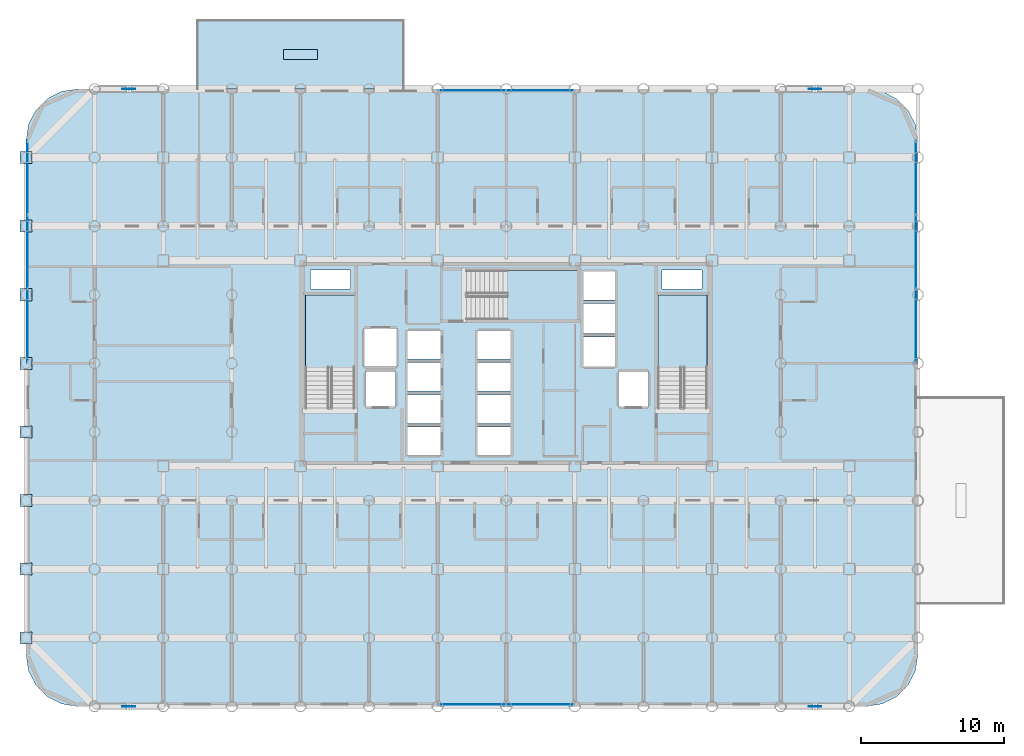
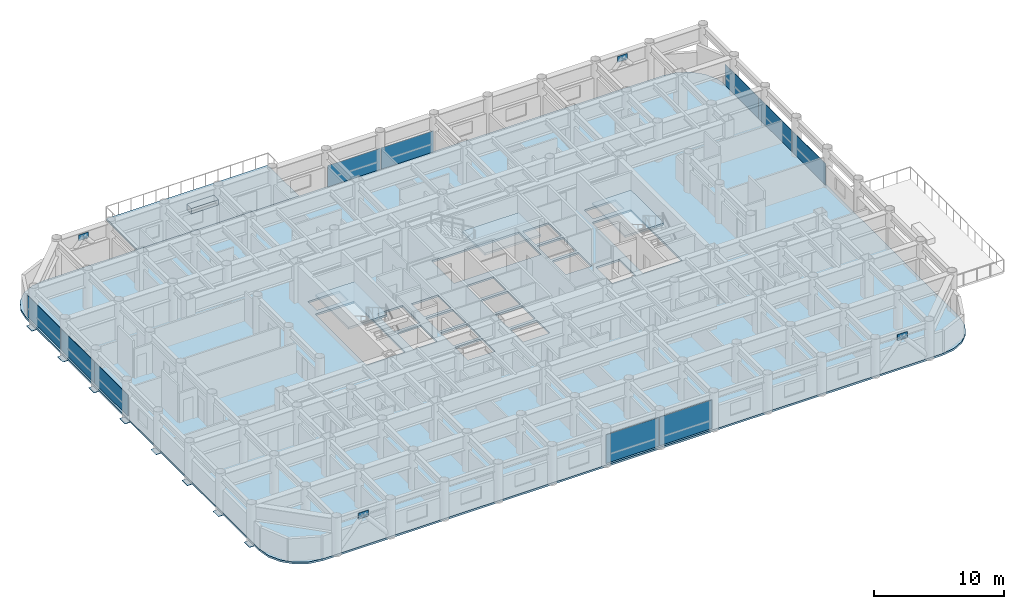
# One storey, part 15 of 24: 23 plates, 5 slabs, 7 elements without a shape of their own.
"""IFC4 building model written with IfcOpenShell, lengths in metres."""

from ifc_helpers import new_model, si_unit, direction, frame, origin, origin_2d, place, context, subcontext, project, spatial, polyline, rectangle, outline, extrude, material, layer, layer_set, type_object, element, aggregate, save


model = new_model("IFC4")

# Units and contexts
model_context = context("Model", 3, precision=1e-05, world=origin(), true_north=direction((0.0, 1.0)))
body_context = subcontext(model_context, "Body", "Model", "MODEL_VIEW")
ifc_project = project(units=[si_unit("LENGTHUNIT", "METRE"), si_unit("AREAUNIT", "SQUARE_METRE"), si_unit("VOLUMEUNIT", "CUBIC_METRE"), si_unit("PLANEANGLEUNIT", "RADIAN"), si_unit("MASSUNIT", "GRAM", prefix="KILO")], contexts=[model_context])

# Site, building, storey
site_placement = place(None, origin())
site = spatial("IfcSite", under=ifc_project, at=site_placement, CompositionType="ELEMENT")
building_placement = place(site_placement, origin())
building = spatial("IfcBuilding", under=site, at=building_placement, Name="Kallvorn Hotel Tower", CompositionType="ELEMENT")
storey_placement = place(building_placement, frame((0.0, 0.0, 30.0)))
storey = spatial("IfcBuildingStorey", under=building, at=storey_placement, Name="L05", CompositionType="ELEMENT", Elevation=30.0)

# Curtain wall, plates
ifc_material_1 = material(Name="Thermally broken black-anodised aluminium AA 6063-T6", Category="aluminium")
ifc_layer_1 = layer(ifc_material_1, 0.199951171875)
ifc_layer_set_1 = layer_set([ifc_layer_1], Name="CW_SYS_3_HOTEL_LOW")
curtain_wall_type = type_object("IfcCurtainWallType", Name="CW_SYS_3_HOTEL_LOW", PredefinedType="USERDEFINED", material=ifc_layer_set_1)
curtain_wall_1_placement = place(storey_placement, origin())
curtain_wall_1 = element("IfcCurtainWall", 1, at=curtain_wall_1_placement, inside=storey, type_object=curtain_wall_type, Name="L05 Dark-Glass Curtain Wall CW-L05-SC", ObjectType="UNITISED CURTAIN WALL", PredefinedType="USERDEFINED")
ifc_material_2 = material(Name="Double-glazed low-e solar-control dark glass", Category="glass")
ifc_layer_2 = layer(ifc_material_2, 0.035888671875)
ifc_layer_set_2 = layer_set([ifc_layer_2], Name="CW_SYS_3_HOTEL_LOW_PANEL")
plate_type_1 = type_object("IfcPlateType", Name="CW_SYS_3_HOTEL_LOW_PANEL", PredefinedType="CURTAIN_PANEL", material=ifc_layer_set_2)
plate_1_placement = place(storey_placement, frame((-2.375, -23.8798828125, 0.06005859375), z_axis=(0.0, 0.0, 1.0), x_axis=(1.0, 0.0, 0.0)))
plate_1 = element("IfcPlate", 2, at=plate_1_placement, type_object=plate_type_1, Name="CW-L05-SC Vision Glass Panel 00", PredefinedType="CURTAIN_PANEL", context=body_context, shape_type="SweptSolid", body=[
    extrude(rectangle(XDim=4.68994140625, YDim=0.035888671875, at=origin_2d()), origin(), (0.0, 0.0, 1.0), 2.699951171875),
])
plate_2_placement = place(storey_placement, frame((2.375, -23.8798828125, 0.06005859375), z_axis=(0.0, 0.0, 1.0), x_axis=(1.0, 0.0, 0.0)))
plate_2 = element("IfcPlate", 3, at=plate_2_placement, type_object=plate_type_1, Name="CW-L05-SC Vision Glass Panel 01", PredefinedType="CURTAIN_PANEL", context=body_context, shape_type="SweptSolid", body=[
    extrude(rectangle(XDim=4.68994140625, YDim=0.035888671875, at=origin_2d()), origin(), (0.0, 0.0, 1.0), 2.699951171875),
])
aggregate(curtain_wall_1, [plate_1, plate_2])

curtain_wall_2_placement = place(storey_placement, origin())
curtain_wall_2 = element("IfcCurtainWall", 4, at=curtain_wall_2_placement, inside=storey, type_object=curtain_wall_type, Name="L05 Dark-Glass Curtain Wall CW-L05-NC", ObjectType="UNITISED CURTAIN WALL", PredefinedType="USERDEFINED")
plate_3_placement = place(storey_placement, frame((-2.375, 19.080078125, 0.06005859375), z_axis=(0.0, 0.0, 1.0), x_axis=(1.0, 0.0, 0.0)))
plate_3 = element("IfcPlate", 5, at=plate_3_placement, type_object=plate_type_1, Name="CW-L05-NC Vision Glass Panel 00", PredefinedType="CURTAIN_PANEL", context=body_context, shape_type="SweptSolid", body=[
    extrude(rectangle(XDim=4.68994140625, YDim=0.035888671875, at=origin_2d()), origin(), (0.0, 0.0, 1.0), 2.0),
])
plate_4_placement = place(storey_placement, frame((2.375, 19.080078125, 0.06005859375), z_axis=(0.0, 0.0, 1.0), x_axis=(1.0, 0.0, 0.0)))
plate_4 = element("IfcPlate", 6, at=plate_4_placement, type_object=plate_type_1, Name="CW-L05-NC Vision Glass Panel 01", PredefinedType="CURTAIN_PANEL", context=body_context, shape_type="SweptSolid", body=[
    extrude(rectangle(XDim=4.68994140625, YDim=0.035888671875, at=origin_2d()), origin(), (0.0, 0.0, 1.0), 2.0),
])
aggregate(curtain_wall_2, [plate_3, plate_4])

curtain_wall_3_placement = place(storey_placement, origin())
curtain_wall_3 = element("IfcCurtainWall", 7, at=curtain_wall_3_placement, inside=storey, type_object=curtain_wall_type, Name="L05 Dark-Glass Curtain Wall CW-L05-WN", ObjectType="UNITISED CURTAIN WALL", PredefinedType="USERDEFINED")
plate_5_placement = place(storey_placement, frame((-33.47998046875, 2.61669921875, 0.06005859375), z_axis=(0.0, 0.0, 1.0), x_axis=(0.0, 1.0, 0.0)))
plate_5 = element("IfcPlate", 8, at=plate_5_placement, type_object=plate_type_1, Name="CW-L05-WN Vision Glass Panel 00", PredefinedType="CURTAIN_PANEL", context=body_context, shape_type="SweptSolid", body=[
    extrude(rectangle(XDim=5.13330078125, YDim=0.035888671875, at=origin_2d()), origin(), (0.0, 0.0, 1.0), 2.0),
])
plate_6_placement = place(storey_placement, frame((-33.47998046875, 7.81005859375, 0.06005859375), z_axis=(0.0, 0.0, 1.0), x_axis=(0.0, 1.0, 0.0)))
plate_6 = element("IfcPlate", 9, at=plate_6_placement, type_object=plate_type_1, Name="CW-L05-WN Vision Glass Panel 01", PredefinedType="CURTAIN_PANEL", context=body_context, shape_type="SweptSolid", body=[
    extrude(rectangle(XDim=5.13330078125, YDim=0.035888671875, at=origin_2d()), origin(), (0.0, 0.0, 1.0), 2.0),
])
plate_7_placement = place(storey_placement, frame((-33.47998046875, 13.00341796875, 0.06005859375), z_axis=(0.0, 0.0, 1.0), x_axis=(0.0, 1.0, 0.0)))
plate_7 = element("IfcPlate", 10, at=plate_7_placement, type_object=plate_type_1, Name="CW-L05-WN Vision Glass Panel 02", PredefinedType="CURTAIN_PANEL", context=body_context, shape_type="SweptSolid", body=[
    extrude(rectangle(XDim=5.13330078125, YDim=0.035888671875, at=origin_2d()), origin(), (0.0, 0.0, 1.0), 2.0),
])
aggregate(curtain_wall_3, [plate_5, plate_6, plate_7])

curtain_wall_4_placement = place(storey_placement, origin())
curtain_wall_4 = element("IfcCurtainWall", 11, at=curtain_wall_4_placement, inside=storey, type_object=curtain_wall_type, Name="L05 Dark-Glass Curtain Wall CW-L05-EN", ObjectType="UNITISED CURTAIN WALL", PredefinedType="USERDEFINED")
plate_8_placement = place(storey_placement, frame((28.679931640625, 2.61669921875, 0.06005859375), z_axis=(0.0, 0.0, 1.0), x_axis=(0.0, 1.0, 0.0)))
plate_8 = element("IfcPlate", 12, at=plate_8_placement, type_object=plate_type_1, Name="CW-L05-EN Vision Glass Panel 00", PredefinedType="CURTAIN_PANEL", context=body_context, shape_type="SweptSolid", body=[
    extrude(rectangle(XDim=5.13330078125, YDim=0.035888671875, at=origin_2d()), origin(), (0.0, 0.0, 1.0), 2.0),
])
plate_9_placement = place(storey_placement, frame((28.679931640625, 7.81005859375, 0.06005859375), z_axis=(0.0, 0.0, 1.0), x_axis=(0.0, 1.0, 0.0)))
plate_9 = element("IfcPlate", 13, at=plate_9_placement, type_object=plate_type_1, Name="CW-L05-EN Vision Glass Panel 01", PredefinedType="CURTAIN_PANEL", context=body_context, shape_type="SweptSolid", body=[
    extrude(rectangle(XDim=5.13330078125, YDim=0.035888671875, at=origin_2d()), origin(), (0.0, 0.0, 1.0), 2.0),
])
plate_10_placement = place(storey_placement, frame((28.679931640625, 13.00341796875, 0.06005859375), z_axis=(0.0, 0.0, 1.0), x_axis=(0.0, 1.0, 0.0)))
plate_10 = element("IfcPlate", 14, at=plate_10_placement, type_object=plate_type_1, Name="CW-L05-EN Vision Glass Panel 02", PredefinedType="CURTAIN_PANEL", context=body_context, shape_type="SweptSolid", body=[
    extrude(rectangle(XDim=5.13330078125, YDim=0.035888671875, at=origin_2d()), origin(), (0.0, 0.0, 1.0), 2.0),
])
aggregate(curtain_wall_4, [plate_8, plate_9, plate_10])

# Plates
ifc_material_3 = material(Name="Structural steel S355JR", Category="steel")
ifc_layer_3 = layer(ifc_material_3, 0.030029296875)
ifc_layer_set_3 = layer_set([ifc_layer_3], Name="PLT_CAP_30")
plate_type_2 = type_object("IfcPlateType", Name="PLT_CAP_30", PredefinedType="SHEET", material=ifc_layer_set_3)
for number, where, z_axis, x_axis, name in (
    (15, (-33.60009765625, -19.199951171875, -0.2099609375), (0.0, 0.0, 1.0), (1.0, 0.0, 0.0), "L05 Hollow Column Base End Cap Plate 0129"),
    (16, (-33.60009765625, -14.39990234375, -0.2099609375), (0.0, 0.0, 1.0), (1.0, 0.0, 0.0), "L05 Hollow Column Base End Cap Plate 0130"),
    (17, (-33.60009765625, -9.60009765625, -0.2099609375), (0.0, 0.0, 1.0), (1.0, 0.0, 0.0), "L05 Hollow Column Base End Cap Plate 0131"),
    (18, (-33.60009765625, -4.800048828125, -0.2099609375), (0.0, 0.0, 1.0), (1.0, 0.0, 0.0), "L05 Hollow Column Base End Cap Plate 0132"),
    (19, (-33.60009765625, 0.0, -0.2099609375), (0.0, 0.0, 1.0), (1.0, 0.0, 0.0), "L05 Hollow Column Base End Cap Plate 0133"),
    (20, (-33.60009765625, 4.800048828125, -0.2099609375), (0.0, 0.0, 1.0), (1.0, 0.0, 0.0), "L05 Hollow Column Base End Cap Plate 0134"),
    (21, (-33.60009765625, 9.60009765625, -0.2099609375), (0.0, 0.0, 1.0), (1.0, 0.0, 0.0), "L05 Hollow Column Base End Cap Plate 0135"),
    (22, (-33.60009765625, 14.39990234375, -0.2099609375), (0.0, 0.0, 1.0), (1.0, 0.0, 0.0), "L05 Hollow Column Base End Cap Plate 0136"),
):
    element("IfcPlate", number, at=place(storey_placement, frame(where, z_axis=z_axis, x_axis=x_axis)), inside=storey, type_object=plate_type_2, Name=name, PredefinedType="SHEET", context=body_context, shape_type="SweptSolid", body=[
        extrude(rectangle(XDim=0.842041015625, YDim=0.842041015625, at=origin_2d()), origin(), (0.0, 0.0, 1.0), 0.030029296875),
    ])
ifc_material_4 = material(Name="Structural steel S355JR", Category="steel")
ifc_layer_4 = layer(ifc_material_4, 0.044921875)
ifc_layer_set_4 = layer_set([ifc_layer_4], Name="PLT_GUSSET_45")
plate_type_3 = type_object("IfcPlateType", Name="PLT_GUSSET_45", PredefinedType="USERDEFINED", material=ifc_layer_set_4)
for number, where, z_axis, x_axis, name in (
    (23, (-26.39990234375, -24.0, 2.639892578125), (0.0, 0.0, 1.0), (1.0, 0.0, 0.0), "L05 Exoskeleton Node Gusset S1"),
    (24, (21.60009765625, -24.0, 2.639892578125), (0.0, 0.0, 1.0), (1.0, 0.0, 0.0), "L05 Exoskeleton Node Gusset S2"),
    (25, (-26.39990234375, 19.199951171875, 2.639892578125), (0.0, 0.0, 1.0), (1.0, 0.0, 0.0), "L05 Exoskeleton Node Gusset N1"),
    (26, (21.60009765625, 19.199951171875, 2.639892578125), (0.0, 0.0, 1.0), (1.0, 0.0, 0.0), "L05 Exoskeleton Node Gusset N2"),
):
    element("IfcPlate", number, at=place(storey_placement, frame(where, z_axis=z_axis, x_axis=x_axis)), inside=storey, type_object=plate_type_3, Name=name, ObjectType="GUSSET PLATE", PredefinedType="USERDEFINED", context=body_context, shape_type="SweptSolid", body=[
        extrude(rectangle(XDim=0.89990234375, YDim=0.044921875, at=origin_2d()), origin(), (0.0, 0.0, 1.0), 0.56005859375),
    ])
ifc_material_5 = material(Name="Powder-coated marine-grade aluminium planter trough", Category="aluminium")
ifc_layer_5 = layer(ifc_material_5, 0.0400390625)
ifc_layer_set_5 = layer_set([ifc_layer_5], Name="PLT_PLANTER_TROUGH")
plate_type_4 = type_object("IfcPlateType", Name="PLT_PLANTER_TROUGH", PredefinedType="USERDEFINED", material=ifc_layer_set_5)
plate_11_placement = place(storey_placement, frame((-14.39990234375, 21.60009765625, 0.0), z_axis=(0.0, 0.0, 1.0), x_axis=(1.0, 0.0, 0.0)))
element("IfcPlate", 27, at=plate_11_placement, inside=storey, type_object=plate_type_4, Name="TER-L05-N Step-Off Terrace Planter", ObjectType="FACADE PLANTER TROUGH", PredefinedType="USERDEFINED", context=body_context, shape_type="SweptSolid", body=[
    extrude(rectangle(XDim=2.39990234375, YDim=0.699951171875, at=origin_2d()), origin(), (0.0, 0.0, 1.0), 0.5),
])

# Stair, slab
ifc_material_6 = material(Name="Precast concrete C40/50", Category="concrete")
stair_type = type_object("IfcStairType", Name="STR_CORE_DOGLEG", PredefinedType="HALF_TURN_STAIR", material=ifc_material_6)
stair_1_placement = place(storey_placement, origin())
stair_1 = element("IfcStair", 28, at=stair_1_placement, inside=storey, type_object=stair_type, Name="L05 Exit stair ST1", PredefinedType="HALF_TURN_STAIR")
ifc_material_7 = material(Name="Precast concrete C40/50", Category="concrete")
ifc_layer_6 = layer(ifc_material_7, 0.179931640625)
ifc_layer_set_6 = layer_set([ifc_layer_6], Name="SLB_LANDING_180")
slab_type_1 = type_object("IfcSlabType", Name="SLB_LANDING_180", PredefinedType="LANDING", material=ifc_layer_set_6)
slab_1_placement = place(storey_placement, frame((0.0, 0.0, 1.64990234375)))
slab_1 = element("IfcSlab", 29, at=slab_1_placement, type_object=slab_type_1, Name="ST1 landing 1", PredefinedType="LANDING", context=body_context, shape_type="SweptSolid", body=[
    extrude(outline(polyline([(-10.60009765625, -0.31005859375), (-10.60009765625, 4.800048828125), (-14.06005859375, 4.800048828125), (-14.06005859375, -0.31005859375), (-10.60009765625, -0.31005859375)])), origin(), (0.0, 0.0, 1.0), 0.2001953125),
])
aggregate(stair_1, [slab_1])

stair_2_placement = place(storey_placement, origin())
stair_2 = element("IfcStair", 30, at=stair_2_placement, inside=storey, type_object=stair_type, Name="L05 Exit stair ST2", PredefinedType="HALF_TURN_STAIR")
slab_2_placement = place(storey_placement, frame((0.0, 0.0, 1.64990234375)))
slab_2 = element("IfcSlab", 31, at=slab_2_placement, type_object=slab_type_1, Name="ST2 landing 1", PredefinedType="LANDING", context=body_context, shape_type="SweptSolid", body=[
    extrude(outline(polyline([(14.06005859375, -0.31005859375), (14.06005859375, 4.800048828125), (10.60009765625, 4.800048828125), (10.60009765625, -0.31005859375), (14.06005859375, -0.31005859375)])), origin(), (0.0, 0.0, 1.0), 0.2001953125),
])
aggregate(stair_2, [slab_2])

stair_3_placement = place(storey_placement, origin())
stair_3 = element("IfcStair", 32, at=stair_3_placement, inside=storey, type_object=stair_type, Name="L05 Exit stair ST3", PredefinedType="HALF_TURN_STAIR")
slab_3_placement = place(storey_placement, frame((0.0, 0.0, 1.64990234375)))
slab_3 = element("IfcSlab", 33, at=slab_3_placement, type_object=slab_type_1, Name="ST3 landing 1", PredefinedType="LANDING", context=body_context, shape_type="SweptSolid", body=[
    extrude(outline(polyline([(0.0400390625, 3.050048828125), (5.050048828125, 3.050048828125), (5.050048828125, 6.510009765625), (0.0400390625, 6.510009765625), (0.0400390625, 3.050048828125)])), origin(), (0.0, 0.0, 1.0), 0.2001953125),
])
aggregate(stair_3, [slab_3])

# Slabs
ifc_material_8 = material(Name="Concrete C40/50", Category="concrete")
ifc_layer_7 = layer(ifc_material_8, 0.179931640625)
ifc_layer_set_7 = layer_set([ifc_layer_7], Name="SLB_TERRACE_180")
slab_type_2 = type_object("IfcSlabType", Name="SLB_TERRACE_180", PredefinedType="ROOF", material=ifc_layer_set_7)
slab_4_placement = place(storey_placement, frame((0.0, 0.0, -0.179931640625)))
element("IfcSlab", 34, at=slab_4_placement, inside=storey, type_object=slab_type_2, Name="L05 Jenga Step-Off Garden Terrace TER-L05-N", PredefinedType="ROOF", context=body_context, shape_type="SweptSolid", body=[
    extrude(outline(polyline([(-21.60009765625, 19.199951171875), (-7.199951171875, 19.199951171875), (-7.199951171875, 24.0), (-21.60009765625, 24.0), (-21.60009765625, 19.199951171875)])), origin(), (0.0, 0.0, 1.0), 0.179931640625),
])
ifc_material_9 = material(Name="Concrete C40/50", Category="concrete")
ifc_layer_8 = layer(ifc_material_9, 0.179931640625)
ifc_layer_set_8 = layer_set([ifc_layer_8], Name="SLB_TOWER_180")
slab_type_3 = type_object("IfcSlabType", Name="SLB_TOWER_180", PredefinedType="FLOOR", material=ifc_layer_set_8)
slab_5_placement = place(storey_placement, frame((0.0, 0.0, -0.179931640625)))
element("IfcSlab", 35, at=slab_5_placement, inside=storey, type_object=slab_type_3, Name="L05 Structural Floor Slab", PredefinedType="FLOOR", context=body_context, shape_type="SweptSolid", body=[
    extrude(outline(polyline([(25.199951171875, -24.0), (26.3125, -23.82373046875), (27.31591796875, -23.3125), (28.112548828125, -22.51611328125), (28.623779296875, -21.512451171875), (28.800048828125, -20.39990234375), (28.800048828125, 15.60009765625), (28.623779296875, 16.71240234375), (28.112548828125, 17.716064453125), (27.31591796875, 18.512451171875), (26.3125, 19.023681640625), (25.199951171875, 19.199951171875), (-30.0, 19.199951171875), (-31.112548828125, 19.023681640625), (-32.115966796875, 18.512451171875), (-32.91259765625, 17.716064453125), (-33.423828125, 16.71240234375), (-33.60009765625, 15.60009765625), (-33.60009765625, -20.39990234375), (-33.423828125, -21.512451171875), (-32.91259765625, -22.51611328125), (-32.115966796875, -23.3125), (-31.112548828125, -23.82373046875), (-30.0, -24.0), (25.199951171875, -24.0)]), holes=[polyline([(-10.60009765625, -3.070068359375), (-10.60009765625, 4.800048828125), (-14.06005859375, 4.800048828125), (-14.06005859375, -3.070068359375), (-10.60009765625, -3.070068359375)]), polyline([(14.06005859375, -3.070068359375), (14.06005859375, 4.800048828125), (10.60009765625, 4.800048828125), (10.60009765625, -3.070068359375), (14.06005859375, -3.070068359375)]), polyline([(-2.719970703125, 3.050048828125), (5.050048828125, 3.050048828125), (5.050048828125, 6.510009765625), (-2.719970703125, 6.510009765625), (-2.719970703125, 3.050048828125)]), polyline([(-6.949951171875, -6.449951171875), (-4.550048828125, -6.449951171875), (-4.550048828125, -4.449951171875), (-6.949951171875, -4.449951171875), (-6.949951171875, -6.449951171875)]), polyline([(-6.949951171875, -4.199951171875), (-4.550048828125, -4.199951171875), (-4.550048828125, -2.199951171875), (-6.949951171875, -2.199951171875), (-6.949951171875, -4.199951171875)]), polyline([(-6.949951171875, -1.949951171875), (-4.550048828125, -1.949951171875), (-4.550048828125, 0.050048828125), (-6.949951171875, 0.050048828125), (-6.949951171875, -1.949951171875)]), polyline([(-6.949951171875, 0.300048828125), (-4.550048828125, 0.300048828125), (-4.550048828125, 2.300048828125), (-6.949951171875, 2.300048828125), (-6.949951171875, 0.300048828125)]), polyline([(-2.050048828125, -6.449951171875), (0.35009765625, -6.449951171875), (0.35009765625, -4.449951171875), (-2.050048828125, -4.449951171875), (-2.050048828125, -6.449951171875)]), polyline([(-2.050048828125, -4.199951171875), (0.35009765625, -4.199951171875), (0.35009765625, -2.199951171875), (-2.050048828125, -2.199951171875), (-2.050048828125, -4.199951171875)]), polyline([(-2.050048828125, -1.949951171875), (0.35009765625, -1.949951171875), (0.35009765625, 0.050048828125), (-2.050048828125, 0.050048828125), (-2.050048828125, -1.949951171875)]), polyline([(-2.050048828125, 0.300048828125), (0.35009765625, 0.300048828125), (0.35009765625, 2.300048828125), (-2.050048828125, 2.300048828125), (-2.050048828125, 0.300048828125)]), polyline([(5.35009765625, -0.25), (7.64990234375, -0.25), (7.64990234375, 1.85009765625), (5.35009765625, 1.85009765625), (5.35009765625, -0.25)]), polyline([(5.35009765625, 2.10009765625), (7.64990234375, 2.10009765625), (7.64990234375, 4.199951171875), (5.35009765625, 4.199951171875), (5.35009765625, 2.10009765625)]), polyline([(5.35009765625, 4.449951171875), (7.64990234375, 4.449951171875), (7.64990234375, 6.449951171875), (5.35009765625, 6.449951171875), (5.35009765625, 4.449951171875)]), polyline([(-9.85009765625, -3.050048828125), (-7.75, -3.050048828125), (-7.75, -0.550048828125), (-9.85009765625, -0.550048828125), (-9.85009765625, -3.050048828125)]), polyline([(7.85009765625, -3.050048828125), (9.949951171875, -3.050048828125), (9.949951171875, -0.550048828125), (7.85009765625, -0.550048828125), (7.85009765625, -3.050048828125)]), polyline([(-9.949951171875, -0.25), (-7.64990234375, -0.25), (-7.64990234375, 2.449951171875), (-9.949951171875, 2.449951171875), (-9.949951171875, -0.25)]), polyline([(-13.699951171875, 5.199951171875), (-10.89990234375, 5.199951171875), (-10.89990234375, 6.550048828125), (-13.699951171875, 6.550048828125), (-13.699951171875, 5.199951171875)]), polyline([(10.89990234375, 5.199951171875), (13.699951171875, 5.199951171875), (13.699951171875, 6.550048828125), (10.89990234375, 6.550048828125), (10.89990234375, 5.199951171875)])]), origin(), (0.0, 0.0, 1.0), 0.179931640625),
])

save(model, "model.ifc")
